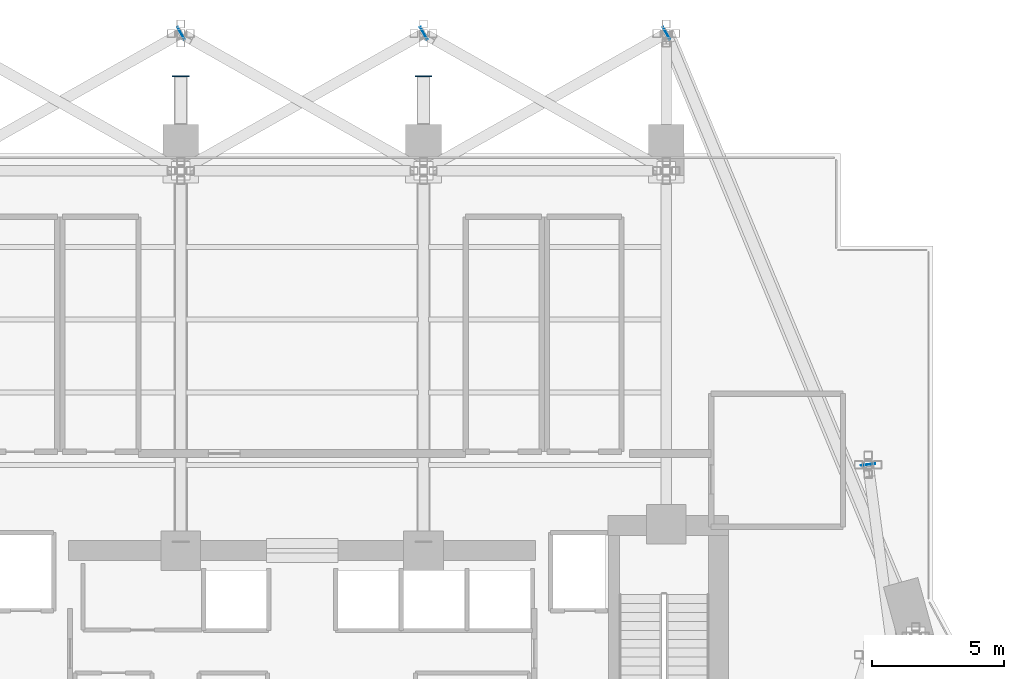
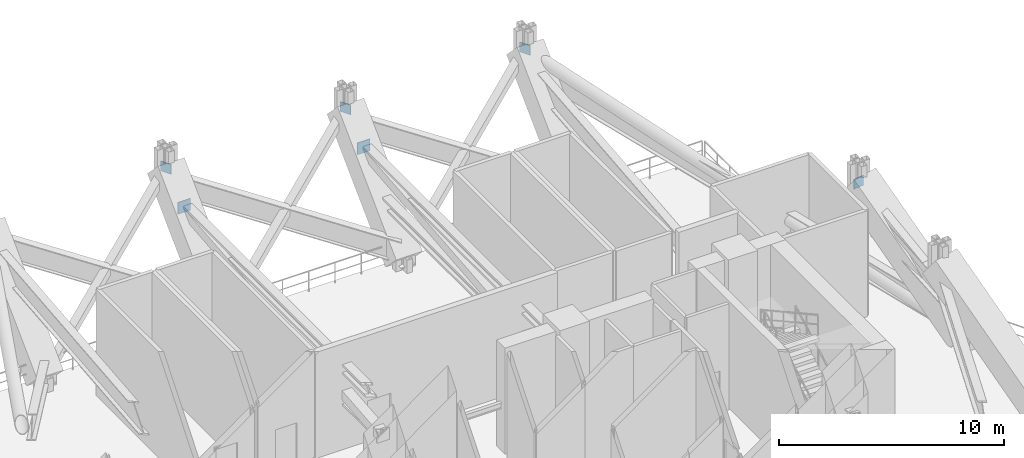
# One storey, part 11 of 18: 6 plates.
"""IFC4 building model written with IfcOpenShell, lengths in metres."""

from ifc_helpers import new_model, si_unit, direction, frame, origin, origin_2d, place, context, subcontext, project, spatial, rectangle, extrude, material, layer, layer_set, type_object, element, save


model = new_model("IFC4")

# Units and contexts
model_context = context("Model", 3, precision=1e-05, world=origin(), true_north=direction((0.0, 1.0)))
body_context = subcontext(model_context, "Body", "Model", "MODEL_VIEW")
ifc_project = project(units=[si_unit("LENGTHUNIT", "METRE"), si_unit("AREAUNIT", "SQUARE_METRE"), si_unit("VOLUMEUNIT", "CUBIC_METRE"), si_unit("PLANEANGLEUNIT", "RADIAN"), si_unit("MASSUNIT", "GRAM", prefix="KILO")], contexts=[model_context])

# Site, building, storey
site_placement = place(None, origin())
site = spatial("IfcSite", under=ifc_project, at=site_placement, CompositionType="ELEMENT")
building_placement = place(site_placement, origin())
building = spatial("IfcBuilding", under=site, at=building_placement, Name="Zuhayl Quay Hotel", CompositionType="ELEMENT")
storey_placement = place(building_placement, frame((0.0, 0.0, 162.199951171875)))
storey = spatial("IfcBuildingStorey", under=building, at=storey_placement, Name="L41", CompositionType="ELEMENT", Elevation=162.199951171875)

# Plates
ifc_material = material(Name="Steel ASTM A572 Grade 50", Category="steel")
ifc_layer_1 = layer(ifc_material, 0.030029296875, Name="Steel ASTM A572 Grade 50", Category="steel")
ifc_layer_set_1 = layer_set([ifc_layer_1], Name="Steel ASTM A572 Grade 50")
plate_type_1 = type_object("IfcPlateType", Name="TP_CAP_PLATE_30", PredefinedType="USERDEFINED", material=ifc_layer_set_1)
for number, where, z_axis, x_axis, name in (
    (1, (-4.590576171875, 32.955322265625, 5.18505859375), (0.0, 0.0, 1.0), (0.87052753116, 0.492119718658, 0.0), "Truss Node Cap Assembly KN2"),
    (2, (4.609619140625, 32.955322265625, 5.18505859375), (0.0, 0.0, 1.0), (0.87052753116, 0.492119718658, 0.0), "Truss Node Cap Assembly KN2"),
    (3, (13.8095703125, 32.955322265625, 5.18505859375), (0.0, 0.0, 1.0), (0.87052753116, 0.492119718658, 0.0), "Truss Node Cap Assembly KN2"),
    (4, (21.448486328125, 16.611083984375, 5.18408203125), (0.0, 0.0, 1.0), (-0.130353150461, 0.991467627391, 0.0), "Truss Node Cap Assembly KN2"),
):
    element("IfcPlate", number, at=place(storey_placement, frame(where, z_axis=z_axis, x_axis=x_axis)), inside=storey, type_object=plate_type_1, Name=name, ObjectType="GUSSET PLATE", PredefinedType="USERDEFINED", context=body_context, shape_type="SweptSolid", body=[
        extrude(rectangle(XDim=0.030029296875, YDim=0.5400390625, at=origin_2d()), origin(), (0.0, 0.0, 1.0), 0.5400390625),
    ])
ifc_layer_2 = layer(ifc_material, 0.0400390625, Name="Steel ASTM A572 Grade 50", Category="steel")
ifc_layer_set_2 = layer_set([ifc_layer_2], Name="Steel ASTM A572 Grade 50")
plate_type_2 = type_object("IfcPlateType", Name="TP_CAP_PLATE_40", PredefinedType="USERDEFINED", material=ifc_layer_set_2)
for number, where, z_axis, x_axis, name in (
    (5, (-4.60009765625, 31.329833984375, 4.03173828125), (0.0, 0.0, 1.0), (0.0, 1.0, 0.0), "Truss Node Cap Assembly KN1"),
    (6, (4.60009765625, 31.329833984375, 4.03173828125), (0.0, 0.0, 1.0), (0.0, 1.0, 0.0), "Truss Node Cap Assembly KN1"),
):
    element("IfcPlate", number, at=place(storey_placement, frame(where, z_axis=z_axis, x_axis=x_axis)), inside=storey, type_object=plate_type_2, Name=name, ObjectType="GUSSET PLATE", PredefinedType="USERDEFINED", context=body_context, shape_type="SweptSolid", body=[
        extrude(rectangle(XDim=0.0400390625, YDim=0.639892578125, at=origin_2d()), origin(), (0.0, 0.0, 1.0), 0.639892578125),
    ])

save(model, "model.ifc")
